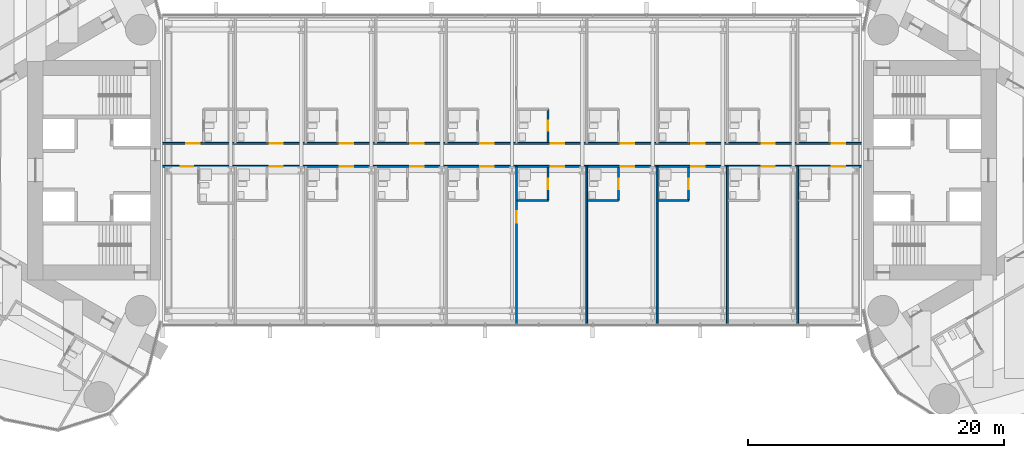
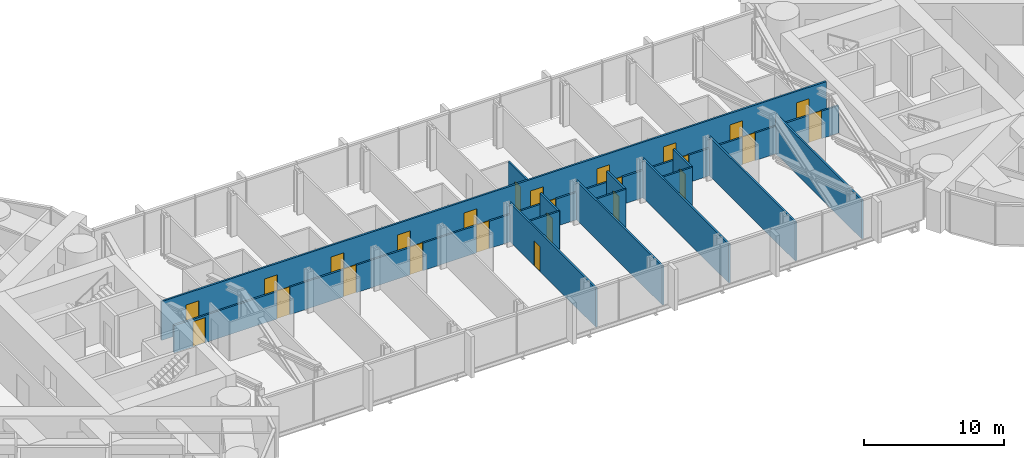
# One storey, part 17 of 23: 25 doors, 14 walls, 25 openings.
"""IFC4 building model written with IfcOpenShell, lengths in metres."""

import ifcopenshell
import ifcopenshell.guid

model = None  # the IFC model being written
_history = None  # IfcOwnerHistory: only IFC2X3 demands one
_inside = {}  # id of a spatial element -> (the spatial element, [elements in it])
_under = {}  # id of a project, library or spatial element -> (it, [spatial elements below it])
_declared = {}  # id of a project -> (the project, [libraries it declares])
_typed = {}  # id of a type object -> (the type object, [elements of that type])
_made_of = {}  # id of a material, layer set ... -> (it, [elements and type objects made of it])


def new_model(schema):
    """Start an empty IFC model of exactly this schema.

    Asked for "IFC4X3", IfcOpenShell would pick the latest addendum, in which some entities
    have other attributes; the version numbers below select the first issue.
    IFC2X3 requires an IfcOwnerHistory on every rooted entity: one is made here for all.
    """
    global model, _history
    if schema == "IFC4X3":
        model = ifcopenshell.file(schema_version=(4, 3, 0, 0))
    else:
        model = ifcopenshell.file(schema=schema)
    _inside.clear()
    _under.clear()
    _declared.clear()
    _typed.clear()
    _made_of.clear()
    _history = None
    if model.schema == "IFC2X3":
        org = make("IfcOrganization", Name="unknown")
        user = make(
            "IfcPersonAndOrganization",
            ThePerson=make("IfcPerson", FamilyName="unknown"),
            TheOrganization=org,
        )
        app = make(
            "IfcApplication",
            ApplicationDeveloper=org,
            Version="unknown",
            ApplicationFullName="unknown",
            ApplicationIdentifier="unknown",
        )
        _history = make(
            "IfcOwnerHistory",
            OwningUser=user,
            OwningApplication=app,
            ChangeAction="ADDED",
            CreationDate=0,
        )
    return model


def make(cls, **values):
    """One entity of the class cls with the attributes given. An attribute that is None is left unset."""
    return model.create_entity(
        cls, **{name: value for name, value in values.items() if value is not None}
    )


def rooted(cls, **values):
    """An entity with a GlobalId (a new one), such as an element, a storey or a relation."""
    return make(cls, GlobalId=ifcopenshell.guid.new(), OwnerHistory=_history, **values)


def si_unit(unit_type, name, prefix=None):
    """IfcSIUnit, for example si_unit("LENGTHUNIT", "METRE", prefix="MILLI")."""
    return make("IfcSIUnit", UnitType=unit_type, Prefix=prefix, Name=name)


def assignment(units):
    """IfcUnitAssignment: the units of a project."""
    return None if units is None else make("IfcUnitAssignment", Units=units)


def point(xyz):
    """IfcCartesianPoint."""
    return None if xyz is None else make("IfcCartesianPoint", Coordinates=xyz)


def direction(xyz):
    """IfcDirection."""
    return None if xyz is None else make("IfcDirection", DirectionRatios=xyz)


def frame(location, z_axis=None, x_axis=None):
    """IfcAxis2Placement3D, a coordinate frame: its origin and axes. An axis left out is left unset."""
    return make(
        "IfcAxis2Placement3D",
        Location=point(location),
        Axis=direction(z_axis),
        RefDirection=direction(x_axis),
    )


def frame_2d(location, x_axis=None):
    """IfcAxis2Placement2D, a coordinate frame in the plane: its origin and x axis."""
    return make(
        "IfcAxis2Placement2D", Location=point(location), RefDirection=direction(x_axis)
    )


def origin():
    """The frame at (0, 0, 0) with its axes left unset."""
    return frame((0.0, 0.0, 0.0))


def place(relative_to, where):
    """IfcLocalPlacement: puts the frame where relative to a parent placement (None: the world)."""
    return make(
        "IfcLocalPlacement", PlacementRelTo=relative_to, RelativePlacement=where
    )


def context(
    kind, dimensions, precision=None, world=None, true_north=None, identifier=None
):
    """IfcGeometricRepresentationContext, for example the 3D "Model" context."""
    return make(
        "IfcGeometricRepresentationContext",
        ContextIdentifier=identifier,
        ContextType=kind,
        CoordinateSpaceDimension=dimensions,
        Precision=precision,
        WorldCoordinateSystem=world,
        TrueNorth=true_north,
    )


def subcontext(parent, identifier, kind, view, scale=None):
    """IfcGeometricRepresentationSubContext, for example "Body" below "Model"."""
    return make(
        "IfcGeometricRepresentationSubContext",
        ContextIdentifier=identifier,
        ContextType=kind,
        ParentContext=parent,
        TargetScale=scale,
        TargetView=view,
    )


def project(units=None, contexts=None):
    """IfcProject with its units and contexts."""
    return rooted(
        "IfcProject",
        Name="project",
        RepresentationContexts=contexts,
        UnitsInContext=assignment(units),
    )


def spatial(cls, under=None, at=None, **own):
    """A site, building, storey or space (cls), placed at a placement, below another one or the project."""
    s = rooted(cls, ObjectPlacement=at, **own)
    if under is not None:
        _under.setdefault(under.id(), (under, []))[1].append(s)
    return s


def profile(cls, at=None, kind="AREA", **sizes):
    """A parametric profile (cls). Its sizes go by their IFC names, for example OverallWidth=200.0."""
    return make(cls, ProfileType=kind, Position=at, **sizes)


def rectangle(**sizes):
    """IfcRectangleProfileDef."""
    return profile("IfcRectangleProfileDef", **sizes)


def extrude(swept, where, along, depth):
    """IfcExtrudedAreaSolid: the profile swept, set in the frame where, extruded along a direction by depth."""
    return make(
        "IfcExtrudedAreaSolid",
        SweptArea=swept,
        Position=where,
        ExtrudedDirection=direction(along),
        Depth=depth,
    )


def shape(context_of_items, identifier, shape_type, items):
    """IfcShapeRepresentation: the items that make up one representation, for example the "Body"."""
    return make(
        "IfcShapeRepresentation",
        ContextOfItems=context_of_items,
        RepresentationIdentifier=identifier,
        RepresentationType=shape_type,
        Items=items,
    )


def material(Name=None, Category=None):
    """IfcMaterial."""
    return make("IfcMaterial", Name=Name, Category=Category)


def layer(
    of_material, thickness, ventilated=None, Name=None, Category=None, Priority=None
):
    """IfcMaterialLayer: one layer of a wall or slab, of a material (None: an air gap)."""
    return make(
        "IfcMaterialLayer",
        Material=of_material,
        LayerThickness=thickness,
        IsVentilated=ventilated,
        Name=Name,
        Category=Category,
        Priority=Priority,
    )


def layer_set(layers, Name=None):
    """IfcMaterialLayerSet."""
    return make("IfcMaterialLayerSet", MaterialLayers=layers, LayerSetName=Name)


def made_of(thing, what):
    """Note that an element or type object is made of a material, layer set ...; save() writes the relation."""
    if what is not None:
        _made_of.setdefault(what.id(), (what, []))[1].append(thing)
    return thing


def type_object(cls, material=None, **own):
    """A type object (cls), such as IfcWallType, which elements share."""
    return made_of(rooted(cls, **own), material)


def element(
    cls,
    number,
    at=None,
    inside=None,
    cuts=None,
    type_object=None,
    material=None,
    context=None,
    identifier="Body",
    shape_type=None,
    held_by="IfcProductDefinitionShape",
    body=None,
    shapes=None,
    **own,
):
    """One element of the class cls, such as IfcWall. Its Tag is "e" and its number.

    at: its placement. inside: the storey or other place that contains it. cuts: it is an
    opening in that element (IfcRelVoidsElement). A single representation is given by context,
    identifier, shape_type and body (its items); several are given by shapes. held_by: the class
    of the entity that holds the representations. save() writes the other relations.
    """
    e = rooted(cls, Tag="e%d" % number, ObjectPlacement=at, **own)
    if body is not None:
        shapes = [shape(context, identifier, shape_type, body)]
    if shapes is not None:
        e.Representation = make(held_by, Representations=shapes)
    if inside is not None:
        _inside.setdefault(inside.id(), (inside, []))[1].append(e)
    if cuts is not None:
        rooted(
            "IfcRelVoidsElement", RelatingBuildingElement=cuts, RelatedOpeningElement=e
        )
    if type_object is not None:
        _typed.setdefault(type_object.id(), (type_object, []))[1].append(e)
    return made_of(e, material)


def fill(opening, filler):
    """IfcRelFillsElement: the door or window that sits in an opening."""
    return rooted(
        "IfcRelFillsElement",
        RelatingOpeningElement=opening,
        RelatedBuildingElement=filler,
    )


def aggregate(whole, parts):
    """IfcRelAggregates: a whole, such as a stair, and the parts it consists of."""
    return rooted("IfcRelAggregates", RelatingObject=whole, RelatedObjects=parts)


def save(model, path):
    """Write the relations noted so far, then the file.

    IfcRelAggregates (storeys below a building ...), IfcRelContainedInSpatialStructure (elements
    in a storey), IfcRelDefinesByType, IfcRelAssociatesMaterial and IfcRelDeclares: one each for
    every whole, place, type object, material and project.
    """
    for whole, parts in _under.values():
        aggregate(whole, parts)
    for where, things in _inside.values():
        rooted(
            "IfcRelContainedInSpatialStructure",
            RelatedElements=things,
            RelatingStructure=where,
        )
    for kind, things in _typed.values():
        rooted("IfcRelDefinesByType", RelatedObjects=things, RelatingType=kind)
    for what, things in _made_of.values():
        rooted("IfcRelAssociatesMaterial", RelatedObjects=things, RelatingMaterial=what)
    for by, libraries in _declared.values():
        rooted("IfcRelDeclares", RelatingContext=by, RelatedDefinitions=libraries)
    model.write(path)


model = new_model("IFC4")

# Units and contexts
model_context = context("Model", 3, precision=1e-05, world=origin(), true_north=direction((0.0, 1.0)))
body_context = subcontext(model_context, "Body", "Model", "MODEL_VIEW")
ifc_project = project(units=[si_unit("LENGTHUNIT", "METRE"), si_unit("AREAUNIT", "SQUARE_METRE"), si_unit("VOLUMEUNIT", "CUBIC_METRE"), si_unit("PLANEANGLEUNIT", "RADIAN"), si_unit("MASSUNIT", "GRAM", prefix="KILO")], contexts=[model_context])

# Site, building, storey
site_placement = place(None, origin())
site = spatial("IfcSite", under=ifc_project, at=site_placement, CompositionType="ELEMENT")
building_placement = place(site_placement, origin())
building = spatial("IfcBuilding", under=site, at=building_placement, Name="Lancet Gate Hotel", CompositionType="ELEMENT")
storey_placement = place(building_placement, frame((0.0, 0.0, 222.5)))
storey = spatial("IfcBuildingStorey", under=building, at=storey_placement, Name="L59", CompositionType="ELEMENT", Elevation=222.5)

# Wall
ifc_material_1 = material(Name="Moisture resistant board partition")
ifc_layer_1 = layer(ifc_material_1, 0.14990234375)
ifc_layer_set_1 = layer_set([ifc_layer_1], Name="Bathroom wall 150")
wall_type_1 = type_object("IfcWallType", Name="Bathroom wall 150", PredefinedType="PARTITIONING", material=ifc_layer_set_1)
wall_1_placement = place(storey_placement, frame((0.425048828125, -2.375, 0.0), z_axis=(0.0, 0.0, 1.0), x_axis=(1.0, 0.0, 0.0)))
element("IfcWall", 1, at=wall_1_placement, inside=storey, type_object=wall_type_1, Name="Bridge block bathroom wall 150 L59", PredefinedType="PARTITIONING", context=body_context, shape_type="SweptSolid", body=[
    extrude(rectangle(XDim=2.39990234375, YDim=0.14990234375, at=frame_2d((1.199951171875, 0.0))), origin(), (0.0, 0.0, 1.0), 3.39990234375),
])

# Wall, opening, door
wall_2_placement = place(storey_placement, frame((2.824951171875, -2.375, 0.0), z_axis=(0.0, 0.0, 1.0), x_axis=(0.0, 1.0, 0.0)))
wall_2 = element("IfcWall", 2, at=wall_2_placement, inside=storey, type_object=wall_type_1, Name="Bridge block bathroom wall 150 L59", PredefinedType="PARTITIONING", context=body_context, shape_type="SweptSolid", body=[
    extrude(rectangle(XDim=2.60009765625, YDim=0.14990234375, at=frame_2d((1.300048828125, 0.0))), origin(), (0.0, 0.0, 1.0), 3.39990234375),
])
opening_1_placement = place(wall_2_placement, frame((0.89990234375, 0.0, 0.0)))
opening_1 = element("IfcOpeningElement", 3, at=opening_1_placement, cuts=wall_2, Name="Opening B5906-B", PredefinedType="OPENING", context=body_context, shape_type="SweptSolid", body=[
    extrude(rectangle(XDim=0.800048828125, YDim=2.199951171875, at=frame_2d((0.39990234375, 1.10009765625))), frame((0.0, 0.0849609375, 0.0), z_axis=(0.0, -1.0, 0.0), x_axis=(1.0, 0.0, 0.0)), (0.0, 0.0, 1.0), 0.169921875),
])
ifc_material_2 = material(Name="Timber door set", Category="wood")
door_type_1 = type_object("IfcDoorType", Name="Bathroom door 800", OperationType="SINGLE_SWING_RIGHT", PredefinedType="DOOR", material=ifc_material_2)
door_1_placement = place(opening_1_placement, origin())
door_1 = element("IfcDoor", 4, at=door_1_placement, inside=storey, type_object=door_type_1, Name="B5906-B", OperationType="SINGLE_SWING_RIGHT", OverallHeight=2.199951171875, OverallWidth=0.800048828125, PredefinedType="DOOR", context=body_context, shape_type="SweptSolid", body=[
    extrude(rectangle(XDim=0.800048828125, YDim=2.199951171875, at=frame_2d((0.39990234375, 1.10009765625))), frame((0.0, 0.02490234375, 0.0), z_axis=(0.0, -1.0, 0.0), x_axis=(1.0, 0.0, 0.0)), (0.0, 0.0, 1.0), 0.050048828125),
])
fill(opening_1, door_1)

# Wall
wall_3_placement = place(storey_placement, frame((5.925048828125, -2.375, 0.0), z_axis=(0.0, 0.0, 1.0), x_axis=(1.0, 0.0, 0.0)))
element("IfcWall", 5, at=wall_3_placement, inside=storey, type_object=wall_type_1, Name="Bridge block bathroom wall 150 L59", PredefinedType="PARTITIONING", context=body_context, shape_type="SweptSolid", body=[
    extrude(rectangle(XDim=2.39990234375, YDim=0.14990234375, at=frame_2d((1.199951171875, 0.0))), origin(), (0.0, 0.0, 1.0), 3.39990234375),
])

# Wall, opening, door
wall_4_placement = place(storey_placement, frame((8.324951171875, -2.375, 0.0), z_axis=(0.0, 0.0, 1.0), x_axis=(0.0, 1.0, 0.0)))
wall_4 = element("IfcWall", 6, at=wall_4_placement, inside=storey, type_object=wall_type_1, Name="Bridge block bathroom wall 150 L59", PredefinedType="PARTITIONING", context=body_context, shape_type="SweptSolid", body=[
    extrude(rectangle(XDim=2.60009765625, YDim=0.14990234375, at=frame_2d((1.300048828125, 0.0))), origin(), (0.0, 0.0, 1.0), 3.39990234375),
])
opening_2_placement = place(wall_4_placement, frame((0.89990234375, 0.0, 0.0)))
opening_2 = element("IfcOpeningElement", 7, at=opening_2_placement, cuts=wall_4, Name="Opening B5907-B", PredefinedType="OPENING", context=body_context, shape_type="SweptSolid", body=[
    extrude(rectangle(XDim=0.800048828125, YDim=2.199951171875, at=frame_2d((0.39990234375, 1.10009765625))), frame((0.0, 0.0849609375, 0.0), z_axis=(0.0, -1.0, 0.0), x_axis=(1.0, 0.0, 0.0)), (0.0, 0.0, 1.0), 0.169921875),
])
door_2_placement = place(opening_2_placement, origin())
door_2 = element("IfcDoor", 8, at=door_2_placement, inside=storey, type_object=door_type_1, Name="B5907-B", OperationType="SINGLE_SWING_RIGHT", OverallHeight=2.199951171875, OverallWidth=0.800048828125, PredefinedType="DOOR", context=body_context, shape_type="SweptSolid", body=[
    extrude(rectangle(XDim=0.800048828125, YDim=2.199951171875, at=frame_2d((0.39990234375, 1.10009765625))), frame((0.0, 0.02490234375, 0.0), z_axis=(0.0, -1.0, 0.0), x_axis=(1.0, 0.0, 0.0)), (0.0, 0.0, 1.0), 0.050048828125),
])
fill(opening_2, door_2)

# Wall
wall_5_placement = place(storey_placement, frame((11.425048828125, -2.375, 0.0), z_axis=(0.0, 0.0, 1.0), x_axis=(1.0, 0.0, 0.0)))
element("IfcWall", 9, at=wall_5_placement, inside=storey, type_object=wall_type_1, Name="Bridge block bathroom wall 150 L59", PredefinedType="PARTITIONING", context=body_context, shape_type="SweptSolid", body=[
    extrude(rectangle(XDim=2.39990234375, YDim=0.14990234375, at=frame_2d((1.199951171875, 0.0))), origin(), (0.0, 0.0, 1.0), 3.39990234375),
])

# Wall, opening, door
wall_6_placement = place(storey_placement, frame((13.824951171875, -2.375, 0.0), z_axis=(0.0, 0.0, 1.0), x_axis=(0.0, 1.0, 0.0)))
wall_6 = element("IfcWall", 10, at=wall_6_placement, inside=storey, type_object=wall_type_1, Name="Bridge block bathroom wall 150 L59", PredefinedType="PARTITIONING", context=body_context, shape_type="SweptSolid", body=[
    extrude(rectangle(XDim=2.60009765625, YDim=0.14990234375, at=frame_2d((1.300048828125, 0.0))), origin(), (0.0, 0.0, 1.0), 3.39990234375),
])
opening_3_placement = place(wall_6_placement, frame((0.89990234375, 0.0, 0.0)))
opening_3 = element("IfcOpeningElement", 11, at=opening_3_placement, cuts=wall_6, Name="Opening B5908-B", PredefinedType="OPENING", context=body_context, shape_type="SweptSolid", body=[
    extrude(rectangle(XDim=0.800048828125, YDim=2.199951171875, at=frame_2d((0.39990234375, 1.10009765625))), frame((0.0, 0.0849609375, 0.0), z_axis=(0.0, -1.0, 0.0), x_axis=(1.0, 0.0, 0.0)), (0.0, 0.0, 1.0), 0.169921875),
])
door_3_placement = place(opening_3_placement, origin())
door_3 = element("IfcDoor", 12, at=door_3_placement, inside=storey, type_object=door_type_1, Name="B5908-B", OperationType="SINGLE_SWING_RIGHT", OverallHeight=2.199951171875, OverallWidth=0.800048828125, PredefinedType="DOOR", context=body_context, shape_type="SweptSolid", body=[
    extrude(rectangle(XDim=0.800048828125, YDim=2.199951171875, at=frame_2d((0.39990234375, 1.10009765625))), frame((0.0, 0.02490234375, 0.0), z_axis=(0.0, -1.0, 0.0), x_axis=(1.0, 0.0, 0.0)), (0.0, 0.0, 1.0), 0.050048828125),
])
fill(opening_3, door_3)

wall_7_placement = place(storey_placement, frame((2.824951171875, 2.175048828125, 0.0), z_axis=(0.0, 0.0, 1.0), x_axis=(0.0, 1.0, 0.0)))
wall_7 = element("IfcWall", 13, at=wall_7_placement, inside=storey, type_object=wall_type_1, Name="Bridge block bathroom wall 150 L59", PredefinedType="PARTITIONING", context=body_context, shape_type="SweptSolid", body=[
    extrude(rectangle(XDim=2.599853515625, YDim=0.14990234375, at=frame_2d((1.2998046875, 0.0))), origin(), (0.0, 0.0, 1.0), 3.39990234375),
])
opening_4_placement = place(wall_7_placement, frame((0.89990234375, 0.0, 0.0)))
opening_4 = element("IfcOpeningElement", 14, at=opening_4_placement, cuts=wall_7, Name="Opening B5916-B", PredefinedType="OPENING", context=body_context, shape_type="SweptSolid", body=[
    extrude(rectangle(XDim=0.800048828125, YDim=2.199951171875, at=frame_2d((0.39990234375, 1.10009765625))), frame((0.0, 0.0849609375, 0.0), z_axis=(0.0, -1.0, 0.0), x_axis=(1.0, 0.0, 0.0)), (0.0, 0.0, 1.0), 0.169921875),
])
door_4_placement = place(opening_4_placement, origin())
door_4 = element("IfcDoor", 15, at=door_4_placement, inside=storey, type_object=door_type_1, Name="B5916-B", OperationType="SINGLE_SWING_RIGHT", OverallHeight=2.199951171875, OverallWidth=0.800048828125, PredefinedType="DOOR", context=body_context, shape_type="SweptSolid", body=[
    extrude(rectangle(XDim=0.800048828125, YDim=2.199951171875, at=frame_2d((0.39990234375, 1.10009765625))), frame((0.0, 0.02490234375, 0.0), z_axis=(0.0, -1.0, 0.0), x_axis=(1.0, 0.0, 0.0)), (0.0, 0.0, 1.0), 0.050048828125),
])
fill(opening_4, door_4)

# Wall, openings, doors
ifc_material_3 = material(Name="Gypsum board partition")
ifc_layer_2 = layer(ifc_material_3, 0.14990234375)
ifc_layer_set_2 = layer_set([ifc_layer_2], Name="Block corridor wall 150")
wall_type_2 = type_object("IfcWallType", Name="Block corridor wall 150", PredefinedType="PARTITIONING", material=ifc_layer_set_2)
wall_8_placement = place(storey_placement, frame((-27.5, 0.300048828125, 0.0), z_axis=(0.0, 0.0, 1.0), x_axis=(1.0, 0.0, 0.0)))
wall_8 = element("IfcWall", 16, at=wall_8_placement, inside=storey, type_object=wall_type_2, Name="Bridge block block corridor wall 150 L59", PredefinedType="PARTITIONING", context=body_context, shape_type="SweptSolid", body=[
    extrude(rectangle(XDim=55.0, YDim=0.14990234375, at=frame_2d((27.5, 0.0))), origin(), (0.0, 0.0, 1.0), 2.39990234375),
])
opening_5_placement = place(wall_8_placement, frame((1.574951171875, 0.0, 0.0)))
opening_5 = element("IfcOpeningElement", 17, at=opening_5_placement, cuts=wall_8, Name="Opening B5901", PredefinedType="OPENING", context=body_context, shape_type="SweptSolid", body=[
    extrude(rectangle(XDim=1.0, YDim=2.199951171875, at=frame_2d((0.5, 1.10009765625))), frame((0.0, 0.0849609375, 0.0), z_axis=(0.0, -1.0, 0.0), x_axis=(1.0, 0.0, 0.0)), (0.0, 0.0, 1.0), 0.169921875),
])
opening_6_placement = place(wall_8_placement, frame((8.52490234375, 0.0, 0.0)))
opening_6 = element("IfcOpeningElement", 18, at=opening_6_placement, cuts=wall_8, Name="Opening B5902", PredefinedType="OPENING", context=body_context, shape_type="SweptSolid", body=[
    extrude(rectangle(XDim=1.050048828125, YDim=2.39990234375, at=frame_2d((0.52490234375, 1.199951171875))), frame((0.0, 0.0849609375, 0.0), z_axis=(0.0, -1.0, 0.0), x_axis=(1.0, 0.0, 0.0)), (0.0, 0.0, 1.0), 0.169921875),
])
opening_7_placement = place(wall_8_placement, frame((14.02490234375, 0.0, 0.0)))
opening_7 = element("IfcOpeningElement", 19, at=opening_7_placement, cuts=wall_8, Name="Opening B5903", PredefinedType="OPENING", context=body_context, shape_type="SweptSolid", body=[
    extrude(rectangle(XDim=1.050048828125, YDim=2.39990234375, at=frame_2d((0.52490234375, 1.199951171875))), frame((0.0, 0.0849609375, 0.0), z_axis=(0.0, -1.0, 0.0), x_axis=(1.0, 0.0, 0.0)), (0.0, 0.0, 1.0), 0.169921875),
])
opening_8_placement = place(wall_8_placement, frame((19.52490234375, 0.0, 0.0)))
opening_8 = element("IfcOpeningElement", 20, at=opening_8_placement, cuts=wall_8, Name="Opening B5904", PredefinedType="OPENING", context=body_context, shape_type="SweptSolid", body=[
    extrude(rectangle(XDim=1.050048828125, YDim=2.39990234375, at=frame_2d((0.52490234375, 1.199951171875))), frame((0.0, 0.0849609375, 0.0), z_axis=(0.0, -1.0, 0.0), x_axis=(1.0, 0.0, 0.0)), (0.0, 0.0, 1.0), 0.169921875),
])
opening_9_placement = place(wall_8_placement, frame((25.02490234375, 0.0, 0.0)))
opening_9 = element("IfcOpeningElement", 21, at=opening_9_placement, cuts=wall_8, Name="Opening B5905", PredefinedType="OPENING", context=body_context, shape_type="SweptSolid", body=[
    extrude(rectangle(XDim=1.050048828125, YDim=2.39990234375, at=frame_2d((0.52490234375, 1.199951171875))), frame((0.0, 0.0849609375, 0.0), z_axis=(0.0, -1.0, 0.0), x_axis=(1.0, 0.0, 0.0)), (0.0, 0.0, 1.0), 0.169921875),
])
opening_10_placement = place(wall_8_placement, frame((30.52490234375, 0.0, 0.0)))
opening_10 = element("IfcOpeningElement", 22, at=opening_10_placement, cuts=wall_8, Name="Opening B5906", PredefinedType="OPENING", context=body_context, shape_type="SweptSolid", body=[
    extrude(rectangle(XDim=1.050048828125, YDim=2.39990234375, at=frame_2d((0.52490234375, 1.199951171875))), frame((0.0, 0.0849609375, 0.0), z_axis=(0.0, -1.0, 0.0), x_axis=(1.0, 0.0, 0.0)), (0.0, 0.0, 1.0), 0.169921875),
])
opening_11_placement = place(wall_8_placement, frame((36.02490234375, 0.0, 0.0)))
opening_11 = element("IfcOpeningElement", 23, at=opening_11_placement, cuts=wall_8, Name="Opening B5907", PredefinedType="OPENING", context=body_context, shape_type="SweptSolid", body=[
    extrude(rectangle(XDim=1.050048828125, YDim=2.39990234375, at=frame_2d((0.52490234375, 1.199951171875))), frame((0.0, 0.0849609375, 0.0), z_axis=(0.0, -1.0, 0.0), x_axis=(1.0, 0.0, 0.0)), (0.0, 0.0, 1.0), 0.169921875),
])
opening_12_placement = place(wall_8_placement, frame((41.52490234375, 0.0, 0.0)))
opening_12 = element("IfcOpeningElement", 24, at=opening_12_placement, cuts=wall_8, Name="Opening B5908", PredefinedType="OPENING", context=body_context, shape_type="SweptSolid", body=[
    extrude(rectangle(XDim=1.050048828125, YDim=2.39990234375, at=frame_2d((0.52490234375, 1.199951171875))), frame((0.0, 0.0849609375, 0.0), z_axis=(0.0, -1.0, 0.0), x_axis=(1.0, 0.0, 0.0)), (0.0, 0.0, 1.0), 0.169921875),
])
opening_13_placement = place(wall_8_placement, frame((47.02490234375, 0.0, 0.0)))
opening_13 = element("IfcOpeningElement", 25, at=opening_13_placement, cuts=wall_8, Name="Opening B5909", PredefinedType="OPENING", context=body_context, shape_type="SweptSolid", body=[
    extrude(rectangle(XDim=1.050048828125, YDim=2.39990234375, at=frame_2d((0.52490234375, 1.199951171875))), frame((0.0, 0.0849609375, 0.0), z_axis=(0.0, -1.0, 0.0), x_axis=(1.0, 0.0, 0.0)), (0.0, 0.0, 1.0), 0.169921875),
])
opening_14_placement = place(wall_8_placement, frame((52.52490234375, 0.0, 0.0)))
opening_14 = element("IfcOpeningElement", 26, at=opening_14_placement, cuts=wall_8, Name="Opening B5910", PredefinedType="OPENING", context=body_context, shape_type="SweptSolid", body=[
    extrude(rectangle(XDim=1.050048828125, YDim=2.39990234375, at=frame_2d((0.52490234375, 1.199951171875))), frame((0.0, 0.0849609375, 0.0), z_axis=(0.0, -1.0, 0.0), x_axis=(1.0, 0.0, 0.0)), (0.0, 0.0, 1.0), 0.169921875),
])
ifc_material_4 = material(Name="Timber door set", Category="wood")
door_type_2 = type_object("IfcDoorType", Name="Accessible guest room door 1000", OperationType="SINGLE_SWING_LEFT", PredefinedType="DOOR", material=ifc_material_4)
door_5_placement = place(opening_5_placement, origin())
door_5 = element("IfcDoor", 27, at=door_5_placement, inside=storey, type_object=door_type_2, Name="B5901", OperationType="SINGLE_SWING_LEFT", OverallHeight=2.199951171875, OverallWidth=1.0, PredefinedType="DOOR", context=body_context, shape_type="SweptSolid", body=[
    extrude(rectangle(XDim=1.0, YDim=2.199951171875, at=frame_2d((0.5, 1.10009765625))), frame((0.0, 0.02490234375, 0.0), z_axis=(0.0, -1.0, 0.0), x_axis=(1.0, 0.0, 0.0)), (0.0, 0.0, 1.0), 0.050048828125),
])
fill(opening_5, door_5)
ifc_material_5 = material(Name="Timber door set", Category="wood")
door_type_3 = type_object("IfcDoorType", Name="Suite entry door 1050", OperationType="SINGLE_SWING_LEFT", PredefinedType="DOOR", material=ifc_material_5)
door_6_placement = place(opening_6_placement, origin())
door_6 = element("IfcDoor", 28, at=door_6_placement, inside=storey, type_object=door_type_3, Name="B5902", OperationType="SINGLE_SWING_LEFT", OverallHeight=2.39990234375, OverallWidth=1.050048828125, PredefinedType="DOOR", context=body_context, shape_type="SweptSolid", body=[
    extrude(rectangle(XDim=1.050048828125, YDim=2.39990234375, at=frame_2d((0.52490234375, 1.199951171875))), frame((0.0, 0.02490234375, 0.0), z_axis=(0.0, -1.0, 0.0), x_axis=(1.0, 0.0, 0.0)), (0.0, 0.0, 1.0), 0.050048828125),
])
fill(opening_6, door_6)
door_7_placement = place(opening_7_placement, origin())
door_7 = element("IfcDoor", 29, at=door_7_placement, inside=storey, type_object=door_type_3, Name="B5903", OperationType="SINGLE_SWING_LEFT", OverallHeight=2.39990234375, OverallWidth=1.050048828125, PredefinedType="DOOR", context=body_context, shape_type="SweptSolid", body=[
    extrude(rectangle(XDim=1.050048828125, YDim=2.39990234375, at=frame_2d((0.52490234375, 1.199951171875))), frame((0.0, 0.02490234375, 0.0), z_axis=(0.0, -1.0, 0.0), x_axis=(1.0, 0.0, 0.0)), (0.0, 0.0, 1.0), 0.050048828125),
])
fill(opening_7, door_7)
door_8_placement = place(opening_8_placement, origin())
door_8 = element("IfcDoor", 30, at=door_8_placement, inside=storey, type_object=door_type_3, Name="B5904", OperationType="SINGLE_SWING_LEFT", OverallHeight=2.39990234375, OverallWidth=1.050048828125, PredefinedType="DOOR", context=body_context, shape_type="SweptSolid", body=[
    extrude(rectangle(XDim=1.050048828125, YDim=2.39990234375, at=frame_2d((0.52490234375, 1.199951171875))), frame((0.0, 0.02490234375, 0.0), z_axis=(0.0, -1.0, 0.0), x_axis=(1.0, 0.0, 0.0)), (0.0, 0.0, 1.0), 0.050048828125),
])
fill(opening_8, door_8)
door_9_placement = place(opening_9_placement, origin())
door_9 = element("IfcDoor", 31, at=door_9_placement, inside=storey, type_object=door_type_3, Name="B5905", OperationType="SINGLE_SWING_LEFT", OverallHeight=2.39990234375, OverallWidth=1.050048828125, PredefinedType="DOOR", context=body_context, shape_type="SweptSolid", body=[
    extrude(rectangle(XDim=1.050048828125, YDim=2.39990234375, at=frame_2d((0.52490234375, 1.199951171875))), frame((0.0, 0.02490234375, 0.0), z_axis=(0.0, -1.0, 0.0), x_axis=(1.0, 0.0, 0.0)), (0.0, 0.0, 1.0), 0.050048828125),
])
fill(opening_9, door_9)
door_10_placement = place(opening_10_placement, origin())
door_10 = element("IfcDoor", 32, at=door_10_placement, inside=storey, type_object=door_type_3, Name="B5906", OperationType="SINGLE_SWING_LEFT", OverallHeight=2.39990234375, OverallWidth=1.050048828125, PredefinedType="DOOR", context=body_context, shape_type="SweptSolid", body=[
    extrude(rectangle(XDim=1.050048828125, YDim=2.39990234375, at=frame_2d((0.52490234375, 1.199951171875))), frame((0.0, 0.02490234375, 0.0), z_axis=(0.0, -1.0, 0.0), x_axis=(1.0, 0.0, 0.0)), (0.0, 0.0, 1.0), 0.050048828125),
])
fill(opening_10, door_10)
door_11_placement = place(opening_11_placement, origin())
door_11 = element("IfcDoor", 33, at=door_11_placement, inside=storey, type_object=door_type_3, Name="B5907", OperationType="SINGLE_SWING_LEFT", OverallHeight=2.39990234375, OverallWidth=1.050048828125, PredefinedType="DOOR", context=body_context, shape_type="SweptSolid", body=[
    extrude(rectangle(XDim=1.050048828125, YDim=2.39990234375, at=frame_2d((0.52490234375, 1.199951171875))), frame((0.0, 0.02490234375, 0.0), z_axis=(0.0, -1.0, 0.0), x_axis=(1.0, 0.0, 0.0)), (0.0, 0.0, 1.0), 0.050048828125),
])
fill(opening_11, door_11)
door_12_placement = place(opening_12_placement, origin())
door_12 = element("IfcDoor", 34, at=door_12_placement, inside=storey, type_object=door_type_3, Name="B5908", OperationType="SINGLE_SWING_LEFT", OverallHeight=2.39990234375, OverallWidth=1.050048828125, PredefinedType="DOOR", context=body_context, shape_type="SweptSolid", body=[
    extrude(rectangle(XDim=1.050048828125, YDim=2.39990234375, at=frame_2d((0.52490234375, 1.199951171875))), frame((0.0, 0.02490234375, 0.0), z_axis=(0.0, -1.0, 0.0), x_axis=(1.0, 0.0, 0.0)), (0.0, 0.0, 1.0), 0.050048828125),
])
fill(opening_12, door_12)
door_13_placement = place(opening_13_placement, origin())
door_13 = element("IfcDoor", 35, at=door_13_placement, inside=storey, type_object=door_type_3, Name="B5909", OperationType="SINGLE_SWING_LEFT", OverallHeight=2.39990234375, OverallWidth=1.050048828125, PredefinedType="DOOR", context=body_context, shape_type="SweptSolid", body=[
    extrude(rectangle(XDim=1.050048828125, YDim=2.39990234375, at=frame_2d((0.52490234375, 1.199951171875))), frame((0.0, 0.02490234375, 0.0), z_axis=(0.0, -1.0, 0.0), x_axis=(1.0, 0.0, 0.0)), (0.0, 0.0, 1.0), 0.050048828125),
])
fill(opening_13, door_13)
door_14_placement = place(opening_14_placement, origin())
door_14 = element("IfcDoor", 36, at=door_14_placement, inside=storey, type_object=door_type_3, Name="B5910", OperationType="SINGLE_SWING_LEFT", OverallHeight=2.39990234375, OverallWidth=1.050048828125, PredefinedType="DOOR", context=body_context, shape_type="SweptSolid", body=[
    extrude(rectangle(XDim=1.050048828125, YDim=2.39990234375, at=frame_2d((0.52490234375, 1.199951171875))), frame((0.0, 0.02490234375, 0.0), z_axis=(0.0, -1.0, 0.0), x_axis=(1.0, 0.0, 0.0)), (0.0, 0.0, 1.0), 0.050048828125),
])
fill(opening_14, door_14)

wall_9_placement = place(storey_placement, frame((-27.5, 2.10009765625, 0.0), z_axis=(0.0, 0.0, 1.0), x_axis=(1.0, 0.0, 0.0)))
wall_9 = element("IfcWall", 37, at=wall_9_placement, inside=storey, type_object=wall_type_2, Name="Bridge block block corridor wall 150 L59", PredefinedType="PARTITIONING", context=body_context, shape_type="SweptSolid", body=[
    extrude(rectangle(XDim=55.0, YDim=0.14990234375, at=frame_2d((27.5, 0.0))), origin(), (0.0, 0.0, 1.0), 3.39990234375),
])
opening_15_placement = place(wall_9_placement, frame((2.02490234375, 0.0, 0.0)))
opening_15 = element("IfcOpeningElement", 38, at=opening_15_placement, cuts=wall_9, Name="Opening B5911", PredefinedType="OPENING", context=body_context, shape_type="SweptSolid", body=[
    extrude(rectangle(XDim=1.050048828125, YDim=2.39990234375, at=frame_2d((0.52490234375, 1.199951171875))), frame((0.0, 0.0849609375, 0.0), z_axis=(0.0, -1.0, 0.0), x_axis=(1.0, 0.0, 0.0)), (0.0, 0.0, 1.0), 0.169921875),
])
opening_16_placement = place(wall_9_placement, frame((8.52490234375, 0.0, 0.0)))
opening_16 = element("IfcOpeningElement", 39, at=opening_16_placement, cuts=wall_9, Name="Opening B5912", PredefinedType="OPENING", context=body_context, shape_type="SweptSolid", body=[
    extrude(rectangle(XDim=1.050048828125, YDim=2.39990234375, at=frame_2d((0.52490234375, 1.199951171875))), frame((0.0, 0.0849609375, 0.0), z_axis=(0.0, -1.0, 0.0), x_axis=(1.0, 0.0, 0.0)), (0.0, 0.0, 1.0), 0.169921875),
])
opening_17_placement = place(wall_9_placement, frame((14.02490234375, 0.0, 0.0)))
opening_17 = element("IfcOpeningElement", 40, at=opening_17_placement, cuts=wall_9, Name="Opening B5913", PredefinedType="OPENING", context=body_context, shape_type="SweptSolid", body=[
    extrude(rectangle(XDim=1.050048828125, YDim=2.39990234375, at=frame_2d((0.52490234375, 1.199951171875))), frame((0.0, 0.0849609375, 0.0), z_axis=(0.0, -1.0, 0.0), x_axis=(1.0, 0.0, 0.0)), (0.0, 0.0, 1.0), 0.169921875),
])
opening_18_placement = place(wall_9_placement, frame((19.52490234375, 0.0, 0.0)))
opening_18 = element("IfcOpeningElement", 41, at=opening_18_placement, cuts=wall_9, Name="Opening B5914", PredefinedType="OPENING", context=body_context, shape_type="SweptSolid", body=[
    extrude(rectangle(XDim=1.050048828125, YDim=2.39990234375, at=frame_2d((0.52490234375, 1.199951171875))), frame((0.0, 0.0849609375, 0.0), z_axis=(0.0, -1.0, 0.0), x_axis=(1.0, 0.0, 0.0)), (0.0, 0.0, 1.0), 0.169921875),
])
opening_19_placement = place(wall_9_placement, frame((25.02490234375, 0.0, 0.0)))
opening_19 = element("IfcOpeningElement", 42, at=opening_19_placement, cuts=wall_9, Name="Opening B5915", PredefinedType="OPENING", context=body_context, shape_type="SweptSolid", body=[
    extrude(rectangle(XDim=1.050048828125, YDim=2.39990234375, at=frame_2d((0.52490234375, 1.199951171875))), frame((0.0, 0.0849609375, 0.0), z_axis=(0.0, -1.0, 0.0), x_axis=(1.0, 0.0, 0.0)), (0.0, 0.0, 1.0), 0.169921875),
])
opening_20_placement = place(wall_9_placement, frame((30.52490234375, 0.0, 0.0)))
opening_20 = element("IfcOpeningElement", 43, at=opening_20_placement, cuts=wall_9, Name="Opening B5916", PredefinedType="OPENING", context=body_context, shape_type="SweptSolid", body=[
    extrude(rectangle(XDim=1.050048828125, YDim=2.39990234375, at=frame_2d((0.52490234375, 1.199951171875))), frame((0.0, 0.0849609375, 0.0), z_axis=(0.0, -1.0, 0.0), x_axis=(1.0, 0.0, 0.0)), (0.0, 0.0, 1.0), 0.169921875),
])
opening_21_placement = place(wall_9_placement, frame((36.02490234375, 0.0, 0.0)))
opening_21 = element("IfcOpeningElement", 44, at=opening_21_placement, cuts=wall_9, Name="Opening B5917", PredefinedType="OPENING", context=body_context, shape_type="SweptSolid", body=[
    extrude(rectangle(XDim=1.050048828125, YDim=2.39990234375, at=frame_2d((0.52490234375, 1.199951171875))), frame((0.0, 0.0849609375, 0.0), z_axis=(0.0, -1.0, 0.0), x_axis=(1.0, 0.0, 0.0)), (0.0, 0.0, 1.0), 0.169921875),
])
opening_22_placement = place(wall_9_placement, frame((41.52490234375, 0.0, 0.0)))
opening_22 = element("IfcOpeningElement", 45, at=opening_22_placement, cuts=wall_9, Name="Opening B5918", PredefinedType="OPENING", context=body_context, shape_type="SweptSolid", body=[
    extrude(rectangle(XDim=1.050048828125, YDim=2.39990234375, at=frame_2d((0.52490234375, 1.199951171875))), frame((0.0, 0.0849609375, 0.0), z_axis=(0.0, -1.0, 0.0), x_axis=(1.0, 0.0, 0.0)), (0.0, 0.0, 1.0), 0.169921875),
])
opening_23_placement = place(wall_9_placement, frame((47.02490234375, 0.0, 0.0)))
opening_23 = element("IfcOpeningElement", 46, at=opening_23_placement, cuts=wall_9, Name="Opening B5919", PredefinedType="OPENING", context=body_context, shape_type="SweptSolid", body=[
    extrude(rectangle(XDim=1.050048828125, YDim=2.39990234375, at=frame_2d((0.52490234375, 1.199951171875))), frame((0.0, 0.0849609375, 0.0), z_axis=(0.0, -1.0, 0.0), x_axis=(1.0, 0.0, 0.0)), (0.0, 0.0, 1.0), 0.169921875),
])
opening_24_placement = place(wall_9_placement, frame((52.52490234375, 0.0, 0.0)))
opening_24 = element("IfcOpeningElement", 47, at=opening_24_placement, cuts=wall_9, Name="Opening B5920", PredefinedType="OPENING", context=body_context, shape_type="SweptSolid", body=[
    extrude(rectangle(XDim=1.050048828125, YDim=2.39990234375, at=frame_2d((0.52490234375, 1.199951171875))), frame((0.0, 0.0849609375, 0.0), z_axis=(0.0, -1.0, 0.0), x_axis=(1.0, 0.0, 0.0)), (0.0, 0.0, 1.0), 0.169921875),
])
door_15_placement = place(opening_15_placement, origin())
door_15 = element("IfcDoor", 48, at=door_15_placement, inside=storey, type_object=door_type_3, Name="B5911", OperationType="SINGLE_SWING_LEFT", OverallHeight=2.39990234375, OverallWidth=1.050048828125, PredefinedType="DOOR", context=body_context, shape_type="SweptSolid", body=[
    extrude(rectangle(XDim=1.050048828125, YDim=2.39990234375, at=frame_2d((0.52490234375, 1.199951171875))), frame((0.0, 0.02490234375, 0.0), z_axis=(0.0, -1.0, 0.0), x_axis=(1.0, 0.0, 0.0)), (0.0, 0.0, 1.0), 0.050048828125),
])
fill(opening_15, door_15)
door_16_placement = place(opening_16_placement, origin())
door_16 = element("IfcDoor", 49, at=door_16_placement, inside=storey, type_object=door_type_3, Name="B5912", OperationType="SINGLE_SWING_LEFT", OverallHeight=2.39990234375, OverallWidth=1.050048828125, PredefinedType="DOOR", context=body_context, shape_type="SweptSolid", body=[
    extrude(rectangle(XDim=1.050048828125, YDim=2.39990234375, at=frame_2d((0.52490234375, 1.199951171875))), frame((0.0, 0.02490234375, 0.0), z_axis=(0.0, -1.0, 0.0), x_axis=(1.0, 0.0, 0.0)), (0.0, 0.0, 1.0), 0.050048828125),
])
fill(opening_16, door_16)
door_17_placement = place(opening_17_placement, origin())
door_17 = element("IfcDoor", 50, at=door_17_placement, inside=storey, type_object=door_type_3, Name="B5913", OperationType="SINGLE_SWING_LEFT", OverallHeight=2.39990234375, OverallWidth=1.050048828125, PredefinedType="DOOR", context=body_context, shape_type="SweptSolid", body=[
    extrude(rectangle(XDim=1.050048828125, YDim=2.39990234375, at=frame_2d((0.52490234375, 1.199951171875))), frame((0.0, 0.02490234375, 0.0), z_axis=(0.0, -1.0, 0.0), x_axis=(1.0, 0.0, 0.0)), (0.0, 0.0, 1.0), 0.050048828125),
])
fill(opening_17, door_17)
door_18_placement = place(opening_18_placement, origin())
door_18 = element("IfcDoor", 51, at=door_18_placement, inside=storey, type_object=door_type_3, Name="B5914", OperationType="SINGLE_SWING_LEFT", OverallHeight=2.39990234375, OverallWidth=1.050048828125, PredefinedType="DOOR", context=body_context, shape_type="SweptSolid", body=[
    extrude(rectangle(XDim=1.050048828125, YDim=2.39990234375, at=frame_2d((0.52490234375, 1.199951171875))), frame((0.0, 0.02490234375, 0.0), z_axis=(0.0, -1.0, 0.0), x_axis=(1.0, 0.0, 0.0)), (0.0, 0.0, 1.0), 0.050048828125),
])
fill(opening_18, door_18)
door_19_placement = place(opening_19_placement, origin())
door_19 = element("IfcDoor", 52, at=door_19_placement, inside=storey, type_object=door_type_3, Name="B5915", OperationType="SINGLE_SWING_LEFT", OverallHeight=2.39990234375, OverallWidth=1.050048828125, PredefinedType="DOOR", context=body_context, shape_type="SweptSolid", body=[
    extrude(rectangle(XDim=1.050048828125, YDim=2.39990234375, at=frame_2d((0.52490234375, 1.199951171875))), frame((0.0, 0.02490234375, 0.0), z_axis=(0.0, -1.0, 0.0), x_axis=(1.0, 0.0, 0.0)), (0.0, 0.0, 1.0), 0.050048828125),
])
fill(opening_19, door_19)
door_20_placement = place(opening_20_placement, origin())
door_20 = element("IfcDoor", 53, at=door_20_placement, inside=storey, type_object=door_type_3, Name="B5916", OperationType="SINGLE_SWING_LEFT", OverallHeight=2.39990234375, OverallWidth=1.050048828125, PredefinedType="DOOR", context=body_context, shape_type="SweptSolid", body=[
    extrude(rectangle(XDim=1.050048828125, YDim=2.39990234375, at=frame_2d((0.52490234375, 1.199951171875))), frame((0.0, 0.02490234375, 0.0), z_axis=(0.0, -1.0, 0.0), x_axis=(1.0, 0.0, 0.0)), (0.0, 0.0, 1.0), 0.050048828125),
])
fill(opening_20, door_20)
door_21_placement = place(opening_21_placement, origin())
door_21 = element("IfcDoor", 54, at=door_21_placement, inside=storey, type_object=door_type_3, Name="B5917", OperationType="SINGLE_SWING_LEFT", OverallHeight=2.39990234375, OverallWidth=1.050048828125, PredefinedType="DOOR", context=body_context, shape_type="SweptSolid", body=[
    extrude(rectangle(XDim=1.050048828125, YDim=2.39990234375, at=frame_2d((0.52490234375, 1.199951171875))), frame((0.0, 0.02490234375, 0.0), z_axis=(0.0, -1.0, 0.0), x_axis=(1.0, 0.0, 0.0)), (0.0, 0.0, 1.0), 0.050048828125),
])
fill(opening_21, door_21)
door_22_placement = place(opening_22_placement, origin())
door_22 = element("IfcDoor", 55, at=door_22_placement, inside=storey, type_object=door_type_3, Name="B5918", OperationType="SINGLE_SWING_LEFT", OverallHeight=2.39990234375, OverallWidth=1.050048828125, PredefinedType="DOOR", context=body_context, shape_type="SweptSolid", body=[
    extrude(rectangle(XDim=1.050048828125, YDim=2.39990234375, at=frame_2d((0.52490234375, 1.199951171875))), frame((0.0, 0.02490234375, 0.0), z_axis=(0.0, -1.0, 0.0), x_axis=(1.0, 0.0, 0.0)), (0.0, 0.0, 1.0), 0.050048828125),
])
fill(opening_22, door_22)
door_23_placement = place(opening_23_placement, origin())
door_23 = element("IfcDoor", 56, at=door_23_placement, inside=storey, type_object=door_type_3, Name="B5919", OperationType="SINGLE_SWING_LEFT", OverallHeight=2.39990234375, OverallWidth=1.050048828125, PredefinedType="DOOR", context=body_context, shape_type="SweptSolid", body=[
    extrude(rectangle(XDim=1.050048828125, YDim=2.39990234375, at=frame_2d((0.52490234375, 1.199951171875))), frame((0.0, 0.02490234375, 0.0), z_axis=(0.0, -1.0, 0.0), x_axis=(1.0, 0.0, 0.0)), (0.0, 0.0, 1.0), 0.050048828125),
])
fill(opening_23, door_23)
door_24_placement = place(opening_24_placement, origin())
door_24 = element("IfcDoor", 57, at=door_24_placement, inside=storey, type_object=door_type_3, Name="B5920", OperationType="SINGLE_SWING_LEFT", OverallHeight=2.39990234375, OverallWidth=1.050048828125, PredefinedType="DOOR", context=body_context, shape_type="SweptSolid", body=[
    extrude(rectangle(XDim=1.050048828125, YDim=2.39990234375, at=frame_2d((0.52490234375, 1.199951171875))), frame((0.0, 0.02490234375, 0.0), z_axis=(0.0, -1.0, 0.0), x_axis=(1.0, 0.0, 0.0)), (0.0, 0.0, 1.0), 0.050048828125),
])
fill(opening_24, door_24)

# Wall, opening, door
ifc_material_6 = material(Name="Gypsum board partition")
ifc_layer_3 = layer(ifc_material_6, 0.14990234375)
ifc_layer_set_3 = layer_set([ifc_layer_3], Name="Party wall 150")
wall_type_3 = type_object("IfcWallType", Name="Party wall 150", PredefinedType="PARTITIONING", material=ifc_layer_set_3)
wall_10_placement = place(storey_placement, frame((0.35009765625, -12.070068359375, 0.0), z_axis=(0.0, 0.0, 1.0), x_axis=(0.0, 1.0, 0.0)))
wall_10 = element("IfcWall", 58, at=wall_10_placement, inside=storey, type_object=wall_type_3, Name="Bridge block party wall 150 L59", PredefinedType="PARTITIONING", context=body_context, shape_type="SweptSolid", body=[
    extrude(rectangle(XDim=12.3701171875, YDim=0.14990234375, at=frame_2d((6.18505859375, 0.0))), origin(), (0.0, 0.0, 1.0), 3.39990234375),
])
opening_25_placement = place(wall_10_placement, frame((7.969970703125, 0.0, 0.0)))
opening_25 = element("IfcOpeningElement", 59, at=opening_25_placement, cuts=wall_10, Name="Opening B5905-C", PredefinedType="OPENING", context=body_context, shape_type="SweptSolid", body=[
    extrude(rectangle(XDim=0.89990234375, YDim=2.199951171875, at=frame_2d((0.449951171875, 1.10009765625))), frame((0.0, 0.0849609375, 0.0), z_axis=(0.0, -1.0, 0.0), x_axis=(1.0, 0.0, 0.0)), (0.0, 0.0, 1.0), 0.169921875),
])
ifc_material_7 = material(Name="Timber door set", Category="wood")
door_type_4 = type_object("IfcDoorType", Name="Connecting door 900", OperationType="SINGLE_SWING_LEFT", PredefinedType="DOOR", material=ifc_material_7)
door_25_placement = place(opening_25_placement, origin())
door_25 = element("IfcDoor", 60, at=door_25_placement, inside=storey, type_object=door_type_4, Name="B5905-C", OperationType="SINGLE_SWING_LEFT", OverallHeight=2.199951171875, OverallWidth=0.89990234375, PredefinedType="DOOR", context=body_context, shape_type="SweptSolid", body=[
    extrude(rectangle(XDim=0.89990234375, YDim=2.199951171875, at=frame_2d((0.449951171875, 1.10009765625))), frame((0.0, 0.02490234375, 0.0), z_axis=(0.0, -1.0, 0.0), x_axis=(1.0, 0.0, 0.0)), (0.0, 0.0, 1.0), 0.050048828125),
])
fill(opening_25, door_25)

# Walls
for number, where, z_axis, x_axis, name in (
    (61, (5.85009765625, -12.070068359375, 0.0), (0.0, 0.0, 1.0), (0.0, 1.0, 0.0), "Bridge block party wall 150 L59"),
    (62, (11.35009765625, -12.070068359375, 0.0), (0.0, 0.0, 1.0), (0.0, 1.0, 0.0), "Bridge block party wall 150 L59"),
    (63, (16.85009765625, -12.070068359375, 0.0), (0.0, 0.0, 1.0), (0.0, 1.0, 0.0), "Bridge block party wall 150 L59"),
    (64, (22.35009765625, -12.070068359375, 0.0), (0.0, 0.0, 1.0), (0.0, 1.0, 0.0), "Bridge block party wall 150 L59"),
):
    element("IfcWall", number, at=place(storey_placement, frame(where, z_axis=z_axis, x_axis=x_axis)), inside=storey, type_object=wall_type_3, Name=name, PredefinedType="PARTITIONING", context=body_context, shape_type="SweptSolid", body=[
        extrude(rectangle(XDim=12.3701171875, YDim=0.14990234375, at=frame_2d((6.18505859375, 0.0))), origin(), (0.0, 0.0, 1.0), 3.39990234375),
    ])

save(model, "model.ifc")
